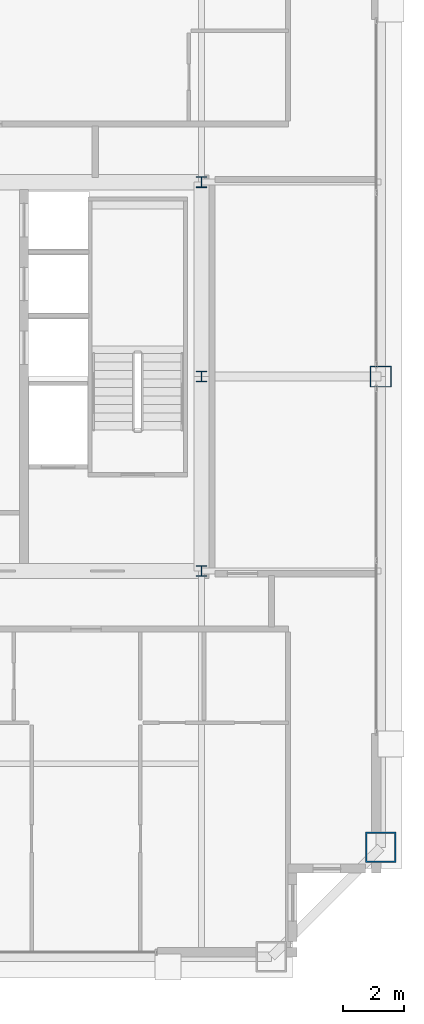
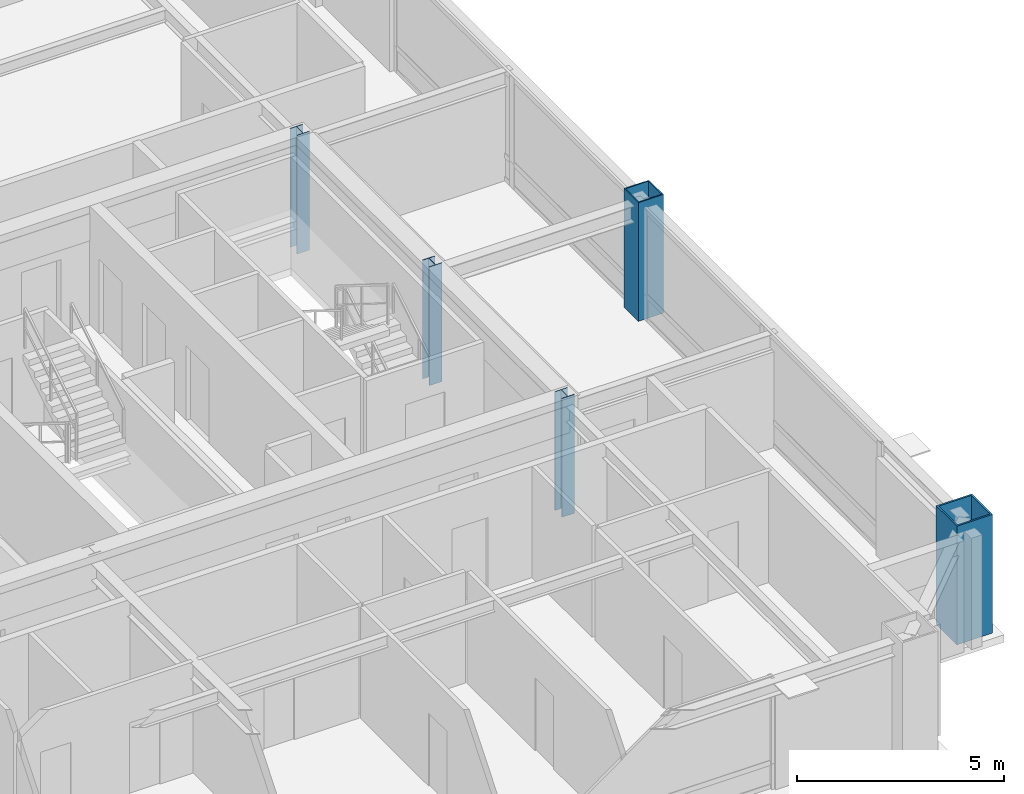
# One storey, part 2 of 34: 5 columns.
"""IFC4 building model written with IfcOpenShell, lengths in metres."""

import ifcopenshell
import ifcopenshell.guid

model = None  # the IFC model being written
_history = None  # IfcOwnerHistory: only IFC2X3 demands one
_inside = {}  # id of a spatial element -> (the spatial element, [elements in it])
_under = {}  # id of a project, library or spatial element -> (it, [spatial elements below it])
_declared = {}  # id of a project -> (the project, [libraries it declares])
_typed = {}  # id of a type object -> (the type object, [elements of that type])
_made_of = {}  # id of a material, layer set ... -> (it, [elements and type objects made of it])


def new_model(schema):
    """Start an empty IFC model of exactly this schema.

    Asked for "IFC4X3", IfcOpenShell would pick the latest addendum, in which some entities
    have other attributes; the version numbers below select the first issue.
    IFC2X3 requires an IfcOwnerHistory on every rooted entity: one is made here for all.
    """
    global model, _history
    if schema == "IFC4X3":
        model = ifcopenshell.file(schema_version=(4, 3, 0, 0))
    else:
        model = ifcopenshell.file(schema=schema)
    _inside.clear()
    _under.clear()
    _declared.clear()
    _typed.clear()
    _made_of.clear()
    _history = None
    if model.schema == "IFC2X3":
        org = make("IfcOrganization", Name="unknown")
        user = make(
            "IfcPersonAndOrganization",
            ThePerson=make("IfcPerson", FamilyName="unknown"),
            TheOrganization=org,
        )
        app = make(
            "IfcApplication",
            ApplicationDeveloper=org,
            Version="unknown",
            ApplicationFullName="unknown",
            ApplicationIdentifier="unknown",
        )
        _history = make(
            "IfcOwnerHistory",
            OwningUser=user,
            OwningApplication=app,
            ChangeAction="ADDED",
            CreationDate=0,
        )
    return model


def make(cls, **values):
    """One entity of the class cls with the attributes given. An attribute that is None is left unset."""
    return model.create_entity(
        cls, **{name: value for name, value in values.items() if value is not None}
    )


def rooted(cls, **values):
    """An entity with a GlobalId (a new one), such as an element, a storey or a relation."""
    return make(cls, GlobalId=ifcopenshell.guid.new(), OwnerHistory=_history, **values)


def si_unit(unit_type, name, prefix=None):
    """IfcSIUnit, for example si_unit("LENGTHUNIT", "METRE", prefix="MILLI")."""
    return make("IfcSIUnit", UnitType=unit_type, Prefix=prefix, Name=name)


def assignment(units):
    """IfcUnitAssignment: the units of a project."""
    return None if units is None else make("IfcUnitAssignment", Units=units)


def point(xyz):
    """IfcCartesianPoint."""
    return None if xyz is None else make("IfcCartesianPoint", Coordinates=xyz)


def direction(xyz):
    """IfcDirection."""
    return None if xyz is None else make("IfcDirection", DirectionRatios=xyz)


def frame(location, z_axis=None, x_axis=None):
    """IfcAxis2Placement3D, a coordinate frame: its origin and axes. An axis left out is left unset."""
    return make(
        "IfcAxis2Placement3D",
        Location=point(location),
        Axis=direction(z_axis),
        RefDirection=direction(x_axis),
    )


def frame_2d(location, x_axis=None):
    """IfcAxis2Placement2D, a coordinate frame in the plane: its origin and x axis."""
    return make(
        "IfcAxis2Placement2D", Location=point(location), RefDirection=direction(x_axis)
    )


def origin():
    """The frame at (0, 0, 0) with its axes left unset."""
    return frame((0.0, 0.0, 0.0))


def origin_2d():
    """The frame at (0, 0) in the plane with its x axis left unset."""
    return frame_2d((0.0, 0.0))


def place(relative_to, where):
    """IfcLocalPlacement: puts the frame where relative to a parent placement (None: the world)."""
    return make(
        "IfcLocalPlacement", PlacementRelTo=relative_to, RelativePlacement=where
    )


def context(
    kind, dimensions, precision=None, world=None, true_north=None, identifier=None
):
    """IfcGeometricRepresentationContext, for example the 3D "Model" context."""
    return make(
        "IfcGeometricRepresentationContext",
        ContextIdentifier=identifier,
        ContextType=kind,
        CoordinateSpaceDimension=dimensions,
        Precision=precision,
        WorldCoordinateSystem=world,
        TrueNorth=true_north,
    )


def subcontext(parent, identifier, kind, view, scale=None):
    """IfcGeometricRepresentationSubContext, for example "Body" below "Model"."""
    return make(
        "IfcGeometricRepresentationSubContext",
        ContextIdentifier=identifier,
        ContextType=kind,
        ParentContext=parent,
        TargetScale=scale,
        TargetView=view,
    )


def project(units=None, contexts=None):
    """IfcProject with its units and contexts."""
    return rooted(
        "IfcProject",
        Name="project",
        RepresentationContexts=contexts,
        UnitsInContext=assignment(units),
    )


def spatial(cls, under=None, at=None, **own):
    """A site, building, storey or space (cls), placed at a placement, below another one or the project."""
    s = rooted(cls, ObjectPlacement=at, **own)
    if under is not None:
        _under.setdefault(under.id(), (under, []))[1].append(s)
    return s


def profile(cls, at=None, kind="AREA", **sizes):
    """A parametric profile (cls). Its sizes go by their IFC names, for example OverallWidth=200.0."""
    return make(cls, ProfileType=kind, Position=at, **sizes)


def hollow_rectangle(**sizes):
    """IfcRectangleHollowProfileDef."""
    return profile("IfcRectangleHollowProfileDef", **sizes)


def i_section(**sizes):
    """IfcIShapeProfileDef."""
    return profile("IfcIShapeProfileDef", **sizes)


def extrude(swept, where, along, depth):
    """IfcExtrudedAreaSolid: the profile swept, set in the frame where, extruded along a direction by depth."""
    return make(
        "IfcExtrudedAreaSolid",
        SweptArea=swept,
        Position=where,
        ExtrudedDirection=direction(along),
        Depth=depth,
    )


def shape(context_of_items, identifier, shape_type, items):
    """IfcShapeRepresentation: the items that make up one representation, for example the "Body"."""
    return make(
        "IfcShapeRepresentation",
        ContextOfItems=context_of_items,
        RepresentationIdentifier=identifier,
        RepresentationType=shape_type,
        Items=items,
    )


def source(mapping_origin, context_of_items, identifier, shape_type, items):
    """IfcRepresentationMap: a shape defined once, which mapped items show again and again."""
    return make(
        "IfcRepresentationMap",
        MappingOrigin=mapping_origin,
        MappedRepresentation=shape(context_of_items, identifier, shape_type, items),
    )


def transform(
    local_origin,
    x_axis=None,
    y_axis=None,
    z_axis=None,
    scale=None,
    scale2=None,
    scale3=None,
    uniform=True,
):
    """IfcCartesianTransformationOperator3D, or its non-uniform kind. x_axis, y_axis, z_axis: its Axis1, 2, 3."""
    if uniform:
        return make(
            "IfcCartesianTransformationOperator3D",
            Axis1=direction(x_axis),
            Axis2=direction(y_axis),
            LocalOrigin=point(local_origin),
            Scale=scale,
            Axis3=direction(z_axis),
        )
    return make(
        "IfcCartesianTransformationOperator3DnonUniform",
        Axis1=direction(x_axis),
        Axis2=direction(y_axis),
        LocalOrigin=point(local_origin),
        Scale=scale,
        Axis3=direction(z_axis),
        Scale2=scale2,
        Scale3=scale3,
    )


def mapped(mapping_source, mapping_target):
    """IfcMappedItem: shows the shape of a source again, moved by a transform."""
    return make(
        "IfcMappedItem", MappingSource=mapping_source, MappingTarget=mapping_target
    )


def material(Name=None, Category=None):
    """IfcMaterial."""
    return make("IfcMaterial", Name=Name, Category=Category)


def material_profile(
    of_material, cross_section, Name=None, Category=None, Priority=None
):
    """IfcMaterialProfile: a cross section and its material."""
    return make(
        "IfcMaterialProfile",
        Name=Name,
        Material=of_material,
        Profile=cross_section,
        Priority=Priority,
        Category=Category,
    )


def profile_set(profiles, Name=None, composite=None):
    """IfcMaterialProfileSet."""
    return make(
        "IfcMaterialProfileSet",
        Name=Name,
        MaterialProfiles=profiles,
        CompositeProfile=composite,
    )


def made_of(thing, what):
    """Note that an element or type object is made of a material, layer set ...; save() writes the relation."""
    if what is not None:
        _made_of.setdefault(what.id(), (what, []))[1].append(thing)
    return thing


def type_object(cls, material=None, **own):
    """A type object (cls), such as IfcWallType, which elements share."""
    return made_of(rooted(cls, **own), material)


def element(
    cls,
    number,
    at=None,
    inside=None,
    cuts=None,
    type_object=None,
    material=None,
    context=None,
    identifier="Body",
    shape_type=None,
    held_by="IfcProductDefinitionShape",
    body=None,
    shapes=None,
    **own,
):
    """One element of the class cls, such as IfcWall. Its Tag is "e" and its number.

    at: its placement. inside: the storey or other place that contains it. cuts: it is an
    opening in that element (IfcRelVoidsElement). A single representation is given by context,
    identifier, shape_type and body (its items); several are given by shapes. held_by: the class
    of the entity that holds the representations. save() writes the other relations.
    """
    e = rooted(cls, Tag="e%d" % number, ObjectPlacement=at, **own)
    if body is not None:
        shapes = [shape(context, identifier, shape_type, body)]
    if shapes is not None:
        e.Representation = make(held_by, Representations=shapes)
    if inside is not None:
        _inside.setdefault(inside.id(), (inside, []))[1].append(e)
    if cuts is not None:
        rooted(
            "IfcRelVoidsElement", RelatingBuildingElement=cuts, RelatedOpeningElement=e
        )
    if type_object is not None:
        _typed.setdefault(type_object.id(), (type_object, []))[1].append(e)
    return made_of(e, material)


def aggregate(whole, parts):
    """IfcRelAggregates: a whole, such as a stair, and the parts it consists of."""
    return rooted("IfcRelAggregates", RelatingObject=whole, RelatedObjects=parts)


def save(model, path):
    """Write the relations noted so far, then the file.

    IfcRelAggregates (storeys below a building ...), IfcRelContainedInSpatialStructure (elements
    in a storey), IfcRelDefinesByType, IfcRelAssociatesMaterial and IfcRelDeclares: one each for
    every whole, place, type object, material and project.
    """
    for whole, parts in _under.values():
        aggregate(whole, parts)
    for where, things in _inside.values():
        rooted(
            "IfcRelContainedInSpatialStructure",
            RelatedElements=things,
            RelatingStructure=where,
        )
    for kind, things in _typed.values():
        rooted("IfcRelDefinesByType", RelatedObjects=things, RelatingType=kind)
    for what, things in _made_of.values():
        rooted("IfcRelAssociatesMaterial", RelatedObjects=things, RelatingMaterial=what)
    for by, libraries in _declared.values():
        rooted("IfcRelDeclares", RelatingContext=by, RelatedDefinitions=libraries)
    model.write(path)


model = new_model("IFC4")

# Units and contexts
model_context = context("Model", 3, precision=1e-05, world=origin(), true_north=direction((0.0, 1.0)))
body_context = subcontext(model_context, "Body", "Model", "MODEL_VIEW")
ifc_project = project(units=[si_unit("LENGTHUNIT", "METRE"), si_unit("AREAUNIT", "SQUARE_METRE"), si_unit("VOLUMEUNIT", "CUBIC_METRE"), si_unit("PLANEANGLEUNIT", "RADIAN"), si_unit("MASSUNIT", "GRAM", prefix="KILO"), si_unit("THERMODYNAMICTEMPERATUREUNIT", "KELVIN"), si_unit("POWERUNIT", "WATT")], contexts=[model_context])

# Site, building, storey
site_placement = place(None, origin())
site = spatial("IfcSite", under=ifc_project, at=site_placement, CompositionType="ELEMENT")
building_placement = place(site_placement, origin())
building = spatial("IfcBuilding", under=site, at=building_placement, Name="Yuzanri Waterfront Tower", CompositionType="ELEMENT")
storey_placement = place(building_placement, frame((0.0, 0.0, 325.199951171875)))
storey = spatial("IfcBuildingStorey", under=building, at=storey_placement, Name="L87", CompositionType="ELEMENT", Elevation=325.199951171875)

# Columns
ifc_material_1 = material(Name="Steel Q355B", Category="steel")
ifc_material_profile_1 = material_profile(ifc_material_1, hollow_rectangle(XDim=0.699951171875, YDim=0.699951171875, WallThickness=0.031982421875, at=origin_2d()), Name="RHS 700x700x32")
ifc_profile_set_1 = profile_set([ifc_material_profile_1], Name="Steel Q355B")
column_type_1 = type_object("IfcColumnType", Name="Frame Column Q355B RHS 700x700x32", PredefinedType="COLUMN", material=ifc_profile_set_1)
shared_shape_1 = source(origin(), body_context, "Body", "SweptSolid", [
    extrude(hollow_rectangle(XDim=0.699951171875, YDim=0.699951171875, WallThickness=0.031982421875, at=origin_2d()), origin(), (0.0, 0.0, 1.0), 3.5),
])
column_1_placement = place(storey_placement, frame((56.10009765625, 25.800048828125, 0.0), z_axis=(0.0, 0.0, 1.0), x_axis=(1.0, 0.0, 0.0)))
element("IfcColumn", 1, at=column_1_placement, inside=storey, type_object=column_type_1, Name="L87 Perimeter Frame Column E2", PredefinedType="COLUMN", context=body_context, shape_type="MappedRepresentation", body=[
    mapped(shared_shape_1, transform((0.0, 0.0, 0.0), scale=1.0)),
])
ifc_material_2 = material(Name="Steel Q355B", Category="steel")
ifc_material_profile_2 = material_profile(ifc_material_2, i_section(OverallWidth=0.35009765625, OverallDepth=0.35009765625, WebThickness=0.011962890625, FlangeThickness=0.01904296875, at=origin_2d()), Name="HW 350x350x12x19")
ifc_profile_set_2 = profile_set([ifc_material_profile_2], Name="Steel Q355B")
column_type_2 = type_object("IfcColumnType", Name="Core Post Q355B HW 350x350x12x19", PredefinedType="COLUMN", material=ifc_profile_set_2)
shared_shape_2 = source(origin(), body_context, "Body", "SweptSolid", [
    extrude(i_section(OverallWidth=0.35009765625, OverallDepth=0.35009765625, WebThickness=0.011962890625, FlangeThickness=0.01904296875, at=origin_2d()), origin(), (0.0, 0.0, 1.0), 3.5),
])
for number, where, z_axis, x_axis, name in (
    (2, (50.199951171875, 19.39990234375, 0.0), (0.0, 0.0, 1.0), (1.0, 0.0, 0.0), "L87 Core Boundary Column CP3"),
    (3, (50.199951171875, 25.800048828125, 0.0), (0.0, 0.0, 1.0), (1.0, 0.0, 0.0), "L87 Core Boundary Column CP5"),
    (4, (50.199951171875, 32.199951171875, 0.0), (0.0, 0.0, 1.0), (1.0, 0.0, 0.0), "L87 Core Boundary Column CP8"),
):
    element("IfcColumn", number, at=place(storey_placement, frame(where, z_axis=z_axis, x_axis=x_axis)), inside=storey, type_object=column_type_2, Name=name, PredefinedType="COLUMN", context=body_context, shape_type="MappedRepresentation", body=[
        mapped(shared_shape_2, transform((0.0, 0.0, 0.0), scale=1.0)),
    ])
ifc_material_3 = material(Name="Steel Q390GJC", Category="steel")
ifc_material_profile_3 = material_profile(ifc_material_3, hollow_rectangle(XDim=1.0, YDim=1.0, WallThickness=0.048095703125, at=origin_2d()), Name="RHS 1000x1000x48")
ifc_profile_set_3 = profile_set([ifc_material_profile_3], Name="Steel Q390GJC")
column_type_3 = type_object("IfcColumnType", Name="Mega Column Q390GJC RHS 1000x1000x48", PredefinedType="COLUMN", material=ifc_profile_set_3)
shared_shape_3 = source(origin(), body_context, "Body", "SweptSolid", [
    extrude(hollow_rectangle(XDim=1.0, YDim=1.0, WallThickness=0.048095703125, at=origin_2d()), origin(), (0.0, 0.0, 1.0), 3.5),
])
column_2_placement = place(storey_placement, frame((56.10009765625, 10.300048828125, 0.0), z_axis=(0.0, 0.0, 1.0), x_axis=(1.0, 0.0, 0.0)))
element("IfcColumn", 5, at=column_2_placement, inside=storey, type_object=column_type_3, Name="L87 Perimeter Mega Column E1", PredefinedType="COLUMN", context=body_context, shape_type="MappedRepresentation", body=[
    mapped(shared_shape_3, transform((0.0, 0.0, 0.0), scale=1.0)),
])

save(model, "model.ifc")
